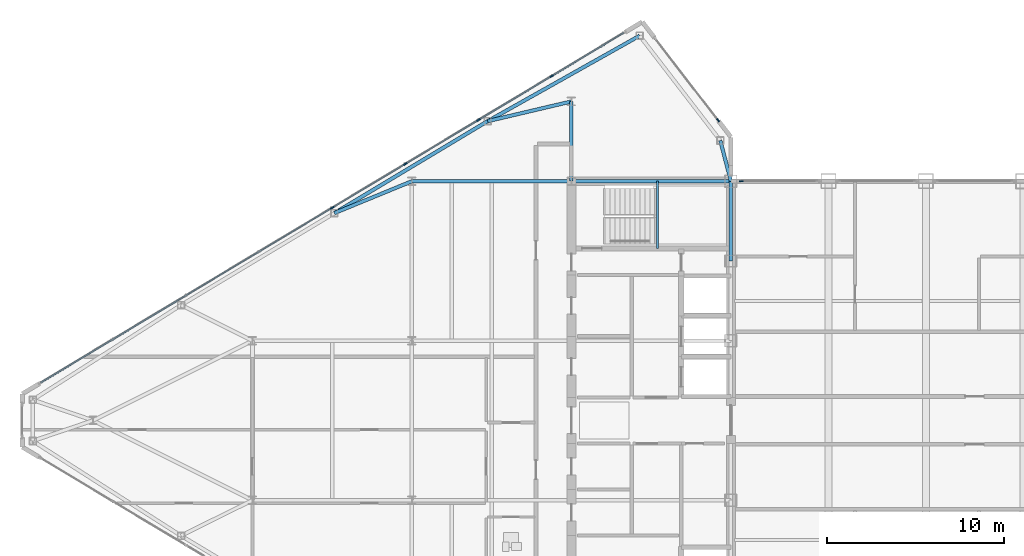
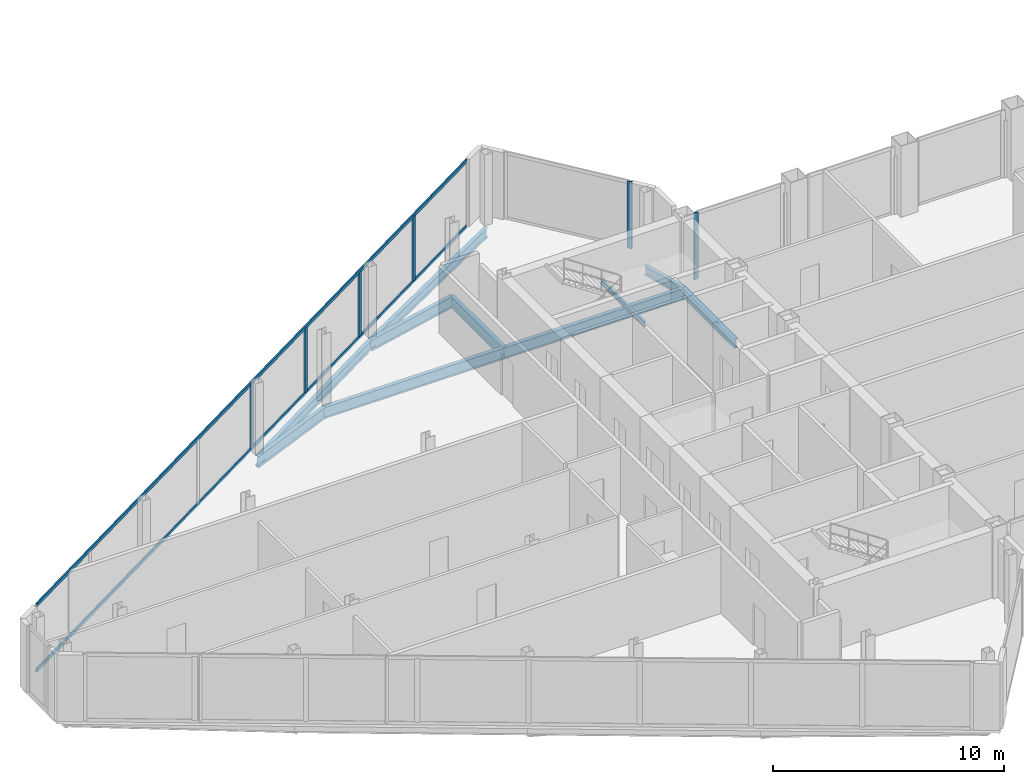
# One storey, part 11 of 29: 10 beams, 8 members, 3 elements without a shape of their own.
"""IFC4 building model written with IfcOpenShell, lengths in metres."""

from ifc_helpers import new_model, si_unit, direction, frame, origin, origin_2d, place, context, subcontext, project, spatial, rectangle, i_section, extrude, source, transform, mapped, material, layer, layer_set, material_profile, profile_set, type_object, type_shapes, element, aggregate, save


model = new_model("IFC4")

# Units and contexts
model_context = context("Model", 3, precision=1e-05, world=origin(), true_north=direction((0.0, 1.0)))
body_context = subcontext(model_context, "Body", "Model", "MODEL_VIEW")
ifc_project = project(units=[si_unit("LENGTHUNIT", "METRE"), si_unit("AREAUNIT", "SQUARE_METRE"), si_unit("VOLUMEUNIT", "CUBIC_METRE"), si_unit("PLANEANGLEUNIT", "RADIAN"), si_unit("MASSUNIT", "GRAM", prefix="KILO")], contexts=[model_context])

# Site, building, storey
site_placement = place(None, origin())
site = spatial("IfcSite", under=ifc_project, at=site_placement, CompositionType="ELEMENT")
building_placement = place(site_placement, origin())
building = spatial("IfcBuilding", under=site, at=building_placement, Name="Seokmaru Belvedere", CompositionType="ELEMENT")
storey_placement = place(building_placement, frame((0.0, 0.0, 243.14990234375)))
storey = spatial("IfcBuildingStorey", under=building, at=storey_placement, Name="L64", CompositionType="ELEMENT", Elevation=243.14990234375)

# Beams
ifc_material_1 = material(Name="Steel SM355 (355 MPa)", Category="steel")
ifc_material_profile_1 = material_profile(ifc_material_1, i_section(OverallWidth=0.199951171875, OverallDepth=0.5, WebThickness=0.010009765625, FlangeThickness=0.01611328125, at=origin_2d()), Name="H-500x200x10x16")
ifc_profile_set_1 = profile_set([ifc_material_profile_1], Name="Steel SM355 (355 MPa)")
beam_type_1 = type_object("IfcBeamType", Name="Perimeter Spandrel Beam H-500", PredefinedType="SPANDREL", material=ifc_profile_set_1)
shared_shape_1 = source(origin(), body_context, "Body", "SweptSolid", [
    extrude(i_section(OverallWidth=0.199951171875, OverallDepth=0.5, WebThickness=0.010009765625, FlangeThickness=0.01611328125, at=origin_2d()), origin(), (0.0, 0.0, 1.0), 4.5),
])
beam_1_placement = place(storey_placement, frame((-27.5, 9.0, -0.469970703125), z_axis=(0.0, 1.0, 0.0), x_axis=(-1.0, 0.0, 0.0)))
element("IfcBeam", 1, at=beam_1_placement, inside=storey, type_object=beam_type_1, Name="L64 W Portal Spine Spandrel 5", PredefinedType="SPANDREL", context=body_context, shape_type="MappedRepresentation", body=[
    mapped(shared_shape_1, transform((0.0, 0.0, 0.0), scale=1.0)),
])
ifc_material_profile_2 = material_profile(ifc_material_1, i_section(OverallWidth=0.199951171875, OverallDepth=0.60009765625, WebThickness=0.010986328125, FlangeThickness=0.01708984375, at=origin_2d()), Name="H-600x200x11x17")
ifc_profile_set_2 = profile_set([ifc_material_profile_2], Name="Steel SM355 (355 MPa)")
beam_type_2 = type_object("IfcBeamType", Name="Primary Floor Girder H-600", PredefinedType="BEAM", material=ifc_profile_set_2)
shared_shape_2 = source(origin(), body_context, "Body", "SweptSolid", [
    extrude(i_section(OverallWidth=0.199951171875, OverallDepth=0.60009765625, WebThickness=0.010986328125, FlangeThickness=0.01708984375, at=origin_2d()), origin(), (0.0, 0.0, 1.0), 9.0),
])
for number, where, z_axis, x_axis, name in (
    (2, (-36.5, 13.5, -0.52001953125), (1.0, 0.0, 0.0), (0.0, 1.0, 0.0), "L64 W Core Tie Girder 4"),
    (3, (-45.5, 13.5, -0.52001953125), (1.0, 0.0, 0.0), (0.0, 1.0, 0.0), "L64 W Wing Primary Girder 4"),
):
    element("IfcBeam", number, at=place(storey_placement, frame(where, z_axis=z_axis, x_axis=x_axis)), inside=storey, type_object=beam_type_2, Name=name, PredefinedType="BEAM", context=body_context, shape_type="MappedRepresentation", body=[
        mapped(shared_shape_2, transform((0.0, 0.0, 0.0), scale=1.0)),
    ])
shared_shape_3 = source(origin(), body_context, "Body", "SweptSolid", [
    extrude(i_section(OverallWidth=0.199951171875, OverallDepth=0.60009765625, WebThickness=0.010986328125, FlangeThickness=0.01708984375, at=origin_2d()), origin(), (0.0, 0.0, 1.0), 4.5),
])
beam_2_placement = place(storey_placement, frame((-36.5, 13.5, -0.52001953125), z_axis=(0.0, 1.0, 0.0), x_axis=(-1.0, 0.0, 0.0)))
element("IfcBeam", 4, at=beam_2_placement, inside=storey, type_object=beam_type_2, Name="L64 W Core Shoulder Girder N", PredefinedType="BEAM", context=body_context, shape_type="MappedRepresentation", body=[
    mapped(shared_shape_3, transform((0.0, 0.0, 0.0), scale=1.0)),
])
shared_shape_4 = source(origin(), body_context, "Body", "SweptSolid", [
    extrude(i_section(OverallWidth=0.199951171875, OverallDepth=0.5, WebThickness=0.010009765625, FlangeThickness=0.01611328125, at=origin_2d()), origin(), (0.0, 0.0, 1.0), 9.842041015625),
])
beam_3_placement = place(storey_placement, frame((-32.649658203125, 21.71044921875, -0.469970703125), z_axis=(-0.871782151818, -0.489893743349, 0.0), x_axis=(0.489893743349, -0.871782151818, 0.0)))
element("IfcBeam", 5, at=beam_3_placement, inside=storey, type_object=beam_type_1, Name="L64 W Faceted Flank Spandrel N-1", PredefinedType="SPANDREL", context=body_context, shape_type="MappedRepresentation", body=[
    mapped(shared_shape_4, transform((0.0, 0.0, 0.0), scale=1.0)),
])
shared_shape_5 = source(origin(), body_context, "Body", "SweptSolid", [
    extrude(i_section(OverallWidth=0.199951171875, OverallDepth=0.5, WebThickness=0.010009765625, FlangeThickness=0.01611328125, at=origin_2d()), origin(), (0.0, 0.0, 1.0), 10.087646484375),
])
beam_4_placement = place(storey_placement, frame((-41.229736328125, 16.888916015625, -0.469970703125), z_axis=(-0.857499332045, -0.514485078056, 0.0), x_axis=(0.514485078056, -0.857499332045, 0.0)))
element("IfcBeam", 6, at=beam_4_placement, inside=storey, type_object=beam_type_1, Name="L64 W Faceted Flank Spandrel N-2", PredefinedType="SPANDREL", context=body_context, shape_type="MappedRepresentation", body=[
    mapped(shared_shape_5, transform((0.0, 0.0, 0.0), scale=1.0)),
])
shared_shape_6 = source(origin(), body_context, "Body", "SweptSolid", [
    extrude(i_section(OverallWidth=0.199951171875, OverallDepth=0.5, WebThickness=0.010009765625, FlangeThickness=0.01611328125, at=origin_2d()), origin(), (0.0, 0.0, 1.0), 2.373046875),
])
type_shapes(beam_type_1, [shared_shape_1, shared_shape_4, shared_shape_5, shared_shape_6])
beam_5_placement = place(storey_placement, frame((-28.10009765625, 15.7958984375, -0.469970703125), z_axis=(0.252882558842, -0.967496982648, 0.0), x_axis=(0.967496982648, 0.252882558842, 0.0)))
element("IfcBeam", 7, at=beam_5_placement, inside=storey, type_object=beam_type_1, Name="L64 W Shoulder Spine Spandrel N", PredefinedType="SPANDREL", context=body_context, shape_type="MappedRepresentation", body=[
    mapped(shared_shape_6, transform((0.0, 0.0, 0.0), scale=1.0)),
])
shared_shape_7 = source(origin(), body_context, "Body", "SweptSolid", [
    extrude(i_section(OverallWidth=0.199951171875, OverallDepth=0.60009765625, WebThickness=0.010986328125, FlangeThickness=0.01708984375, at=origin_2d()), origin(), (0.0, 0.0, 1.0), 4.8583984375),
])
beam_6_placement = place(storey_placement, frame((-41.229736328125, 16.888916015625, -0.52001953125), z_axis=(0.97349948295, 0.228689214211, 0.0), x_axis=(-0.228689214211, 0.97349948295, 0.0)))
element("IfcBeam", 8, at=beam_6_placement, inside=storey, type_object=beam_type_2, Name="L64 W Flank Radial Floor Girder N-1", PredefinedType="BEAM", context=body_context, shape_type="MappedRepresentation", body=[
    mapped(shared_shape_7, transform((0.0, 0.0, 0.0), scale=1.0)),
])
shared_shape_8 = source(origin(), body_context, "Body", "SweptSolid", [
    extrude(i_section(OverallWidth=0.199951171875, OverallDepth=0.60009765625, WebThickness=0.010986328125, FlangeThickness=0.01708984375, at=origin_2d()), origin(), (0.0, 0.0, 1.0), 4.73583984375),
])
type_shapes(beam_type_2, [shared_shape_2, shared_shape_3, shared_shape_7, shared_shape_8])
beam_7_placement = place(storey_placement, frame((-49.8798828125, 11.698974609375, -0.52001953125), z_axis=(0.924860562953, 0.380306375301, 0.0), x_axis=(-0.380306375301, 0.924860562953, 0.0)))
element("IfcBeam", 9, at=beam_7_placement, inside=storey, type_object=beam_type_2, Name="L64 W Flank Radial Floor Girder N-2", PredefinedType="BEAM", context=body_context, shape_type="MappedRepresentation", body=[
    mapped(shared_shape_8, transform((0.0, 0.0, 0.0), scale=1.0)),
])

# Curtain wall, members
ifc_material_2 = material(Name="Bronze Triple Insulating Glass", Category="glass")
ifc_layer = layer(ifc_material_2, 0.219970703125)
ifc_layer_set = layer_set([ifc_layer], Name="Bronze Triple Insulating Glass")
curtain_wall_type = type_object("IfcCurtainWallType", Name="Sky-Gate Bridge Panorama Curtain Wall System CW-6", PredefinedType="NOTDEFINED", material=ifc_layer_set)
curtain_wall_1_placement = place(storey_placement, origin())
curtain_wall_1 = element("IfcCurtainWall", 10, at=curtain_wall_1_placement, inside=storey, type_object=curtain_wall_type, Name="L64 Curtain Wall WF3", PredefinedType="NOTDEFINED")
ifc_material_3 = material(Name="Anodised Bronze Aluminium", Category="aluminium")
ifc_material_profile_3 = material_profile(ifc_material_3, rectangle(XDim=0.074951171875, YDim=0.179931640625, at=origin_2d()), Name="CW-T-75x180")
ifc_profile_set_3 = profile_set([ifc_material_profile_3], Name="Anodised Bronze Aluminium")
member_type_1 = type_object("IfcMemberType", Name="Bronze Unitised Transom 75x180", PredefinedType="USERDEFINED", material=ifc_profile_set_3)
shared_shape_9 = source(origin(), body_context, "Body", "SweptSolid", [
    extrude(rectangle(XDim=0.074951171875, YDim=0.179931640625, at=origin_2d()), origin(), (0.0, 0.0, 1.0), 38.356689453125),
])
type_shapes(member_type_1, [shared_shape_9])
member_1_placement = place(storey_placement, frame((-33.5546875, 21.8671875, 0.03759765625), z_axis=(-0.857492925713, -0.514495755428, 0.0), x_axis=(0.514495755428, -0.857492925713, 0.0)))
member_1 = element("IfcMember", 11, at=member_1_placement, type_object=member_type_1, Name="CW:L64:WF3 Continuous Transom 1", ObjectType="TRANSOM", PredefinedType="USERDEFINED", context=body_context, shape_type="MappedRepresentation", body=[
    mapped(shared_shape_9, transform((0.0, 0.0, 0.0), scale=1.0)),
])
member_2_placement = place(storey_placement, frame((-33.5546875, 21.8671875, 3.49267578125), z_axis=(-0.857492925713, -0.514495755428, 0.0), x_axis=(0.514495755428, -0.857492925713, 0.0)))
member_2 = element("IfcMember", 12, at=member_2_placement, type_object=member_type_1, Name="CW:L64:WF3 Continuous Transom 2", ObjectType="TRANSOM", PredefinedType="USERDEFINED", context=body_context, shape_type="MappedRepresentation", body=[
    mapped(shared_shape_9, transform((0.0, 0.0, 0.0), scale=1.0)),
])

# Curtain wall, member
curtain_wall_2_placement = place(storey_placement, origin())
curtain_wall_2 = element("IfcCurtainWall", 13, at=curtain_wall_2_placement, inside=storey, type_object=curtain_wall_type, Name="L64 Curtain Wall WF2", PredefinedType="NOTDEFINED")
ifc_material_profile_4 = material_profile(ifc_material_3, rectangle(XDim=0.080078125, YDim=0.219970703125, at=origin_2d()), Name="CW-M-80x220")
ifc_profile_set_4 = profile_set([ifc_material_profile_4], Name="Anodised Bronze Aluminium")
member_type_2 = type_object("IfcMemberType", Name="Bronze Unitised Mullion 80x220", PredefinedType="MULLION", material=ifc_profile_set_4)
shared_shape_10 = source(origin(), body_context, "Body", "SweptSolid", [
    extrude(rectangle(XDim=0.080078125, YDim=0.219970703125, at=origin_2d()), origin(), (0.0, 0.0, 1.0), 3.530029296875),
])
member_3_placement = place(storey_placement, frame((-28.2255859375, 16.943115234375, 0.0), z_axis=(0.0, 0.0, 1.0), x_axis=(-0.792631353244, -0.609701187349, 0.0)))
member_3 = element("IfcMember", 14, at=member_3_placement, type_object=member_type_2, Name="CW:L64:WF2 Mullion 1", PredefinedType="MULLION", context=body_context, shape_type="MappedRepresentation", body=[
    mapped(shared_shape_10, transform((0.0, 0.0, 0.0), scale=1.0)),
])
aggregate(curtain_wall_2, [member_3])

curtain_wall_3_placement = place(storey_placement, origin())
curtain_wall_3 = element("IfcCurtainWall", 15, at=curtain_wall_3_placement, inside=storey, type_object=curtain_wall_type, Name="L64 Curtain Wall BR_N01", PredefinedType="NOTDEFINED")
member_4_placement = place(storey_placement, frame((-26.909912109375, 13.5, 0.0), z_axis=(0.0, 0.0, 1.0), x_axis=(0.0, -1.0, 0.0)))
member_4 = element("IfcMember", 16, at=member_4_placement, type_object=member_type_2, Name="CW:L64:BR_N01 Mullion 2", PredefinedType="MULLION", context=body_context, shape_type="MappedRepresentation", body=[
    mapped(shared_shape_10, transform((0.0, 0.0, 0.0), scale=1.0)),
])
aggregate(curtain_wall_3, [member_4])

# Member
shared_shape_11 = source(origin(), body_context, "Body", "SweptSolid", [
    extrude(rectangle(XDim=0.080078125, YDim=0.219970703125, at=origin_2d()), origin(), (0.0, 0.0, 1.0), 3.3798828125),
])
type_shapes(member_type_2, [shared_shape_10, shared_shape_11])
member_5_placement = place(storey_placement, frame((-37.614501953125, 19.43115234375, 0.0751953125), z_axis=(0.0, 0.0, 1.0), x_axis=(0.514494909364, -0.85749343335, 0.0)))
member_5 = element("IfcMember", 17, at=member_5_placement, type_object=member_type_2, Name="CW:L64:WF3 Mullion 2", PredefinedType="MULLION", context=body_context, shape_type="MappedRepresentation", body=[
    mapped(shared_shape_11, transform((0.0, 0.0, 0.0), scale=1.0)),
])

member_6_placement = place(storey_placement, frame((-41.7431640625, 16.9541015625, 0.0751953125), z_axis=(0.0, 0.0, 1.0), x_axis=(0.514494909364, -0.85749343335, 0.0)))
member_6 = element("IfcMember", 18, at=member_6_placement, type_object=member_type_2, Name="CW:L64:WF3 Mullion 3", PredefinedType="MULLION", context=body_context, shape_type="MappedRepresentation", body=[
    mapped(shared_shape_11, transform((0.0, 0.0, 0.0), scale=1.0)),
])

member_7_placement = place(storey_placement, frame((-45.87158203125, 14.47705078125, 0.0751953125), z_axis=(0.0, 0.0, 1.0), x_axis=(0.514494909364, -0.85749343335, 0.0)))
member_7 = element("IfcMember", 19, at=member_7_placement, type_object=member_type_2, Name="CW:L64:WF3 Mullion 4", PredefinedType="MULLION", context=body_context, shape_type="MappedRepresentation", body=[
    mapped(shared_shape_11, transform((0.0, 0.0, 0.0), scale=1.0)),
])

member_8_placement = place(storey_placement, frame((-50.0, 12.0, 0.0751953125), z_axis=(0.0, 0.0, 1.0), x_axis=(0.514494909364, -0.85749343335, 0.0)))
member_8 = element("IfcMember", 20, at=member_8_placement, type_object=member_type_2, Name="CW:L64:WF3 Mullion 5", PredefinedType="MULLION", context=body_context, shape_type="MappedRepresentation", body=[
    mapped(shared_shape_11, transform((0.0, 0.0, 0.0), scale=1.0)),
])

aggregate(curtain_wall_1, [member_5, member_6, member_7, member_8, member_1, member_2])

# Beam
ifc_material_profile_5 = material_profile(ifc_material_1, i_section(OverallWidth=0.125, OverallDepth=0.25, WebThickness=0.006103515625, FlangeThickness=0.009033203125, at=origin_2d()), Name="H-250x125x6x9")
ifc_profile_set_5 = profile_set([ifc_material_profile_5], Name="Steel SM355 (355 MPa)")
beam_type_3 = type_object("IfcBeamType", Name="Stair Mid-Landing Support Beam H-250", PredefinedType="JOIST", material=ifc_profile_set_5)
shared_shape_12 = source(origin(), body_context, "Body", "SweptSolid", [
    extrude(i_section(OverallWidth=0.125, OverallDepth=0.25, WebThickness=0.006103515625, FlangeThickness=0.009033203125, at=origin_2d()), origin(), (0.0, 0.0, 1.0), 3.800048828125),
])
type_shapes(beam_type_3, [shared_shape_12])
beam_8_placement = place(storey_placement, frame((-31.64990234375, 9.699951171875, 1.550048828125), z_axis=(0.0, 1.0, 0.0), x_axis=(-1.0, 0.0, 0.0)))
element("IfcBeam", 21, at=beam_8_placement, inside=storey, type_object=beam_type_3, Name="L64 Stair ST-W2 Mid-Landing Support Beam 1", PredefinedType="JOIST", context=body_context, shape_type="MappedRepresentation", body=[
    mapped(shared_shape_12, transform((0.0, 0.0, 0.0), scale=1.0)),
])

save(model, "model.ifc")
